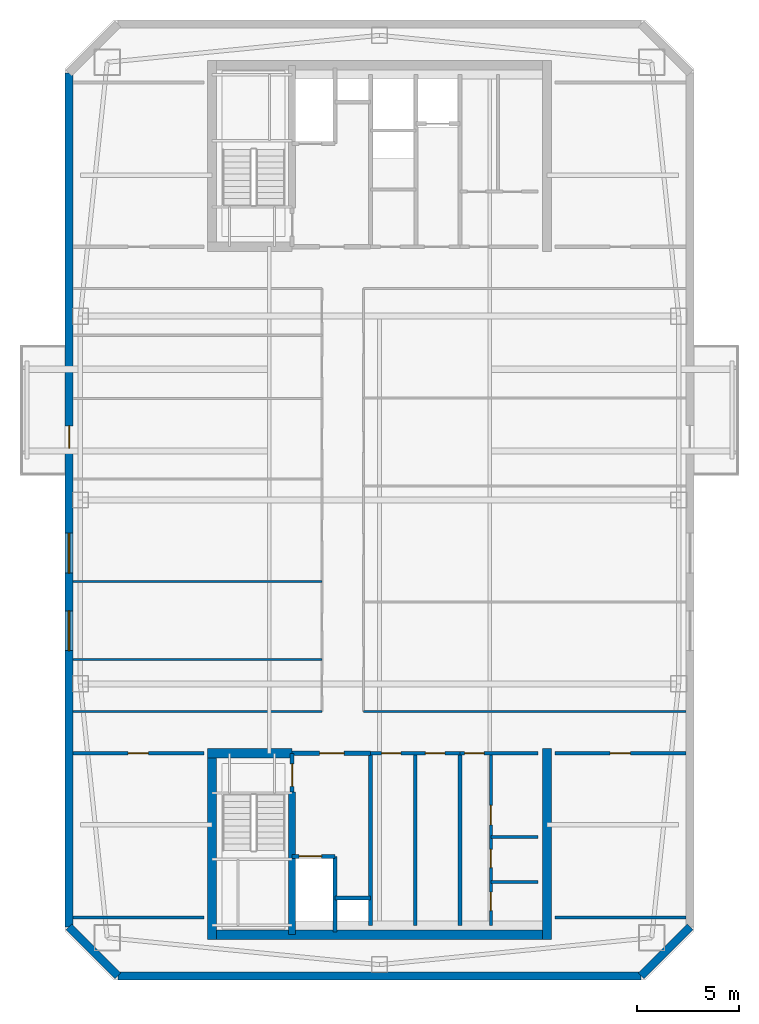
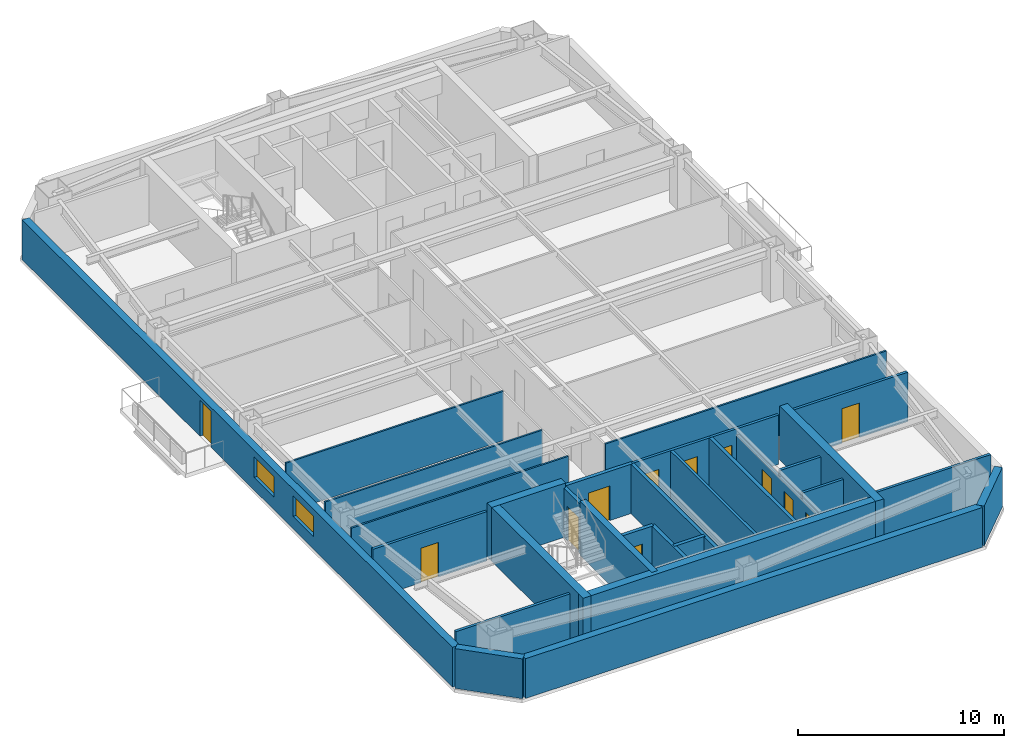
# One storey, part 2 of 6: 30 walls, 12 doors, 2 windows, 14 openings.
"""IFC4 building model written with IfcOpenShell, lengths in metres."""

from ifc_helpers import new_model, si_unit, direction, frame, frame_2d, origin, place, context, subcontext, project, spatial, rectangle, extrude, material, layer, layer_set, type_object, element, fill, save


model = new_model("IFC4")

# Units and contexts
model_context = context("Model", 3, precision=1e-05, world=origin(), true_north=direction((0.0, 1.0)))
body_context = subcontext(model_context, "Body", "Model", "MODEL_VIEW")
ifc_project = project(units=[si_unit("LENGTHUNIT", "METRE"), si_unit("AREAUNIT", "SQUARE_METRE"), si_unit("VOLUMEUNIT", "CUBIC_METRE"), si_unit("PLANEANGLEUNIT", "RADIAN"), si_unit("MASSUNIT", "GRAM", prefix="KILO")], contexts=[model_context])

# Site, building, storey
site_placement = place(None, origin())
site = spatial("IfcSite", under=ifc_project, at=site_placement, CompositionType="ELEMENT")
building_placement = place(site_placement, origin())
building = spatial("IfcBuilding", under=site, at=building_placement, Name="Qiaolan Cultural Towers", CompositionType="ELEMENT")
storey_placement = place(building_placement, frame((0.0, 0.0, 260.0)))
storey = spatial("IfcBuildingStorey", under=building, at=storey_placement, Name="L71", CompositionType="ELEMENT", Elevation=260.0)

# Walls
ifc_material_1 = material(Name="Concrete C50", Category="concrete")
ifc_layer_1 = layer(ifc_material_1, 0.35009765625)
ifc_layer_set_1 = layer_set([ifc_layer_1], Name="Concrete C50")
wall_type_1 = type_object("IfcWallType", Name="WL-CORE-350", PredefinedType="SHEAR", material=ifc_layer_set_1)
wall_1_placement = place(storey_placement, frame((25.719970703125, 19.699951171875, 0.0), z_axis=(0.0, 0.0, 1.0), x_axis=(0.0, -1.0, 0.0)))
element("IfcWall", 1, at=wall_1_placement, inside=storey, type_object=wall_type_1, Name="L71 T1-CS Stair Core Dividing Web", PredefinedType="SHEAR", context=body_context, shape_type="SweptSolid", body=[
    extrude(rectangle(XDim=6.97998046875, YDim=0.35009765625, at=frame_2d((3.489990234375, 0.0))), origin(), (0.0, 0.0, 1.0), 3.199951171875),
])
ifc_material_2 = material(Name="Concrete C50", Category="concrete")
ifc_layer_2 = layer(ifc_material_2, 0.449951171875)
ifc_layer_set_2 = layer_set([ifc_layer_2], Name="Concrete C50")
wall_type_2 = type_object("IfcWallType", Name="WL-CORE-450", PredefinedType="SHEAR", material=ifc_layer_set_2)
wall_2_placement = place(storey_placement, frame((21.574951171875, 12.719970703125, 0.0), z_axis=(0.0, 0.0, 1.0), x_axis=(1.0, 0.0, 0.0)))
element("IfcWall", 2, at=wall_2_placement, inside=storey, type_object=wall_type_2, Name="L71 T1-CS Outer Core Shear Wall", PredefinedType="SHEAR", context=body_context, shape_type="SweptSolid", body=[
    extrude(rectangle(XDim=16.85009765625, YDim=0.449951171875, at=frame_2d((8.425048828125, 0.0))), origin(), (0.0, 0.0, 1.0), 3.199951171875),
])
for number, where, z_axis, x_axis, name in (
    (3, (21.800048828125, 21.824951171875, 0.0), (0.0, 0.0, 1.0), (0.0, -1.0, 0.0), "L71 T1-CS West Core Shear Wall"),
    (4, (38.199951171875, 21.824951171875, 0.0), (0.0, 0.0, 1.0), (0.0, -1.0, 0.0), "L71 T1-CS East Core Shear Wall"),
):
    element("IfcWall", number, at=place(storey_placement, frame(where, z_axis=z_axis, x_axis=x_axis)), inside=storey, type_object=wall_type_2, Name=name, PredefinedType="SHEAR", context=body_context, shape_type="SweptSolid", body=[
        extrude(rectangle(XDim=9.329833984375, YDim=0.449951171875, at=frame_2d((4.6650390625, 0.0))), origin(), (0.0, 0.0, 1.0), 3.199951171875),
    ])
wall_3_placement = place(storey_placement, frame((21.574951171875, 21.60009765625, 0.0), z_axis=(0.0, 0.0, 1.0), x_axis=(1.0, 0.0, 0.0)))
element("IfcWall", 5, at=wall_3_placement, inside=storey, type_object=wall_type_2, Name="L71 T1-CS Stair Front Shear Wall", PredefinedType="SHEAR", context=body_context, shape_type="SweptSolid", body=[
    extrude(rectangle(XDim=4.14501953125, YDim=0.449951171875, at=frame_2d((2.072509765625, 0.0))), origin(), (0.0, 0.0, 1.0), 3.199951171875),
])

# Wall, openings, door, windows
ifc_material_3 = material(Name="Precast Concrete C50 Honed Stone Pier", Category="masonry")
ifc_layer_3 = layer(ifc_material_3, 0.39990234375)
ifc_layer_set_3 = layer_set([ifc_layer_3], Name="Precast Concrete C50 Honed Stone Pier")
wall_type_3 = type_object("IfcWallType", Name="WL-EXT-PIER-400", PredefinedType="SOLIDWALL", material=ifc_layer_set_3)
wall_4_placement = place(storey_placement, frame((14.800048828125, 13.10009765625, 0.0), z_axis=(0.0, 0.0, 1.0), x_axis=(0.0, 1.0, 0.0)))
wall_4 = element("IfcWall", 6, at=wall_4_placement, inside=storey, type_object=wall_type_3, Name="L71 West Tower Precast Pier Facade Wall F1", PredefinedType="SOLIDWALL", context=body_context, shape_type="SweptSolid", body=[
    extrude(rectangle(XDim=41.7998046875, YDim=0.39990234375, at=frame_2d((20.89990234375, 0.0))), origin(), (0.0, 0.0, 1.0), 2.360107421875),
])
opening_1_placement = place(wall_4_placement, frame((13.52490234375, 0.0, 0.75)))
opening_1 = element("IfcOpeningElement", 7, at=opening_1_placement, cuts=wall_4, Name="Opening W-06", PredefinedType="OPENING", context=body_context, shape_type="SweptSolid", body=[
    extrude(rectangle(XDim=1.949951171875, YDim=1.2099609375, at=frame_2d((0.97509765625, 0.60498046875))), frame((0.0, 0.2099609375, 0.0), z_axis=(0.0, -1.0, 0.0), x_axis=(1.0, 0.0, 0.0)), (0.0, 0.0, 1.0), 0.419921875),
])
opening_2_placement = place(wall_4_placement, frame((17.324951171875, 0.0, 0.75)))
opening_2 = element("IfcOpeningElement", 8, at=opening_2_placement, cuts=wall_4, Name="Opening W-06", PredefinedType="OPENING", context=body_context, shape_type="SweptSolid", body=[
    extrude(rectangle(XDim=1.949951171875, YDim=1.2099609375, at=frame_2d((0.97509765625, 0.60498046875))), frame((0.0, 0.2099609375, 0.0), z_axis=(0.0, -1.0, 0.0), x_axis=(1.0, 0.0, 0.0)), (0.0, 0.0, 1.0), 0.419921875),
])
opening_3_placement = place(wall_4_placement, frame((23.430419921875, 0.0, 0.0)))
opening_3 = element("IfcOpeningElement", 9, at=opening_3_placement, cuts=wall_4, Name="Opening BD-01", PredefinedType="OPENING", context=body_context, shape_type="SweptSolid", body=[
    extrude(rectangle(XDim=1.10009765625, YDim=2.14990234375, at=frame_2d((0.550048828125, 1.074951171875))), frame((0.0, 0.2099609375, 0.0), z_axis=(0.0, -1.0, 0.0), x_axis=(1.0, 0.0, 0.0)), (0.0, 0.0, 1.0), 0.419921875),
])
ifc_material_4 = material(Name="Thermally Broken Aluminium Glazed Terrace Door", Category="aluminium")
door_type_1 = type_object("IfcDoorType", Name="DR-BAL-1100", OperationType="NOTDEFINED", PredefinedType="DOOR", material=ifc_material_4)
door_1_placement = place(opening_3_placement, origin())
door_1 = element("IfcDoor", 10, at=door_1_placement, inside=storey, type_object=door_type_1, Name="L71 T1 West Tree Balcony Door", OperationType="SINGLE_SWING_LEFT", OverallHeight=2.14990234375, OverallWidth=1.10009765625, PredefinedType="DOOR", context=body_context, shape_type="SweptSolid", body=[
    extrude(rectangle(XDim=1.10009765625, YDim=2.14990234375, at=frame_2d((0.550048828125, 1.074951171875))), frame((0.0, 0.02490234375, 0.0), z_axis=(0.0, -1.0, 0.0), x_axis=(1.0, 0.0, 0.0)), (0.0, 0.0, 1.0), 0.050048828125),
])
fill(opening_3, door_1)
ifc_material_5 = material(Name="Thermally Broken Aluminium Triple Low-E Glazing", Category="aluminium")
window_type = type_object("IfcWindowType", Name="WN-CHIC-1950", PartitioningType="SINGLE_PANEL", PredefinedType="WINDOW", material=ifc_material_5)
window_1_placement = place(opening_1_placement, origin())
window_1 = element("IfcWindow", 11, at=window_1_placement, inside=storey, type_object=window_type, Name="L71 T1 W Chicago Bay Window 1", OverallHeight=1.2099609375, OverallWidth=1.949951171875, PartitioningType="TRIPLE_PANEL_VERTICAL", PredefinedType="WINDOW", context=body_context, shape_type="SweptSolid", body=[
    extrude(rectangle(XDim=1.949951171875, YDim=1.2099609375, at=frame_2d((0.97509765625, 0.60498046875))), frame((0.0, 0.030029296875, 0.0), z_axis=(0.0, -1.0, 0.0), x_axis=(1.0, 0.0, 0.0)), (0.0, 0.0, 1.0), 0.06005859375),
])
fill(opening_1, window_1)
window_2_placement = place(opening_2_placement, origin())
window_2 = element("IfcWindow", 12, at=window_2_placement, inside=storey, type_object=window_type, Name="L71 T1 W Chicago Bay Window 2", OverallHeight=1.2099609375, OverallWidth=1.949951171875, PartitioningType="TRIPLE_PANEL_VERTICAL", PredefinedType="WINDOW", context=body_context, shape_type="SweptSolid", body=[
    extrude(rectangle(XDim=1.949951171875, YDim=1.2099609375, at=frame_2d((0.97509765625, 0.60498046875))), frame((0.0, 0.030029296875, 0.0), z_axis=(0.0, -1.0, 0.0), x_axis=(1.0, 0.0, 0.0)), (0.0, 0.0, 1.0), 0.06005859375),
])
fill(opening_2, window_2)

# Walls
wall_5_placement = place(storey_placement, frame((45.199951171875, 13.10009765625, 0.0), z_axis=(0.0, 0.0, 1.0), x_axis=(-0.707070815327, -0.707142745217, 0.0)))
element("IfcWall", 13, at=wall_5_placement, inside=storey, type_object=wall_type_3, Name="L71 West Tower Precast Pier Facade Wall F6", PredefinedType="SOLIDWALL", context=body_context, shape_type="SweptSolid", body=[
    extrude(rectangle(XDim=3.39404296875, YDim=0.39990234375, at=frame_2d((1.697021484375, 0.0))), origin(), (0.0, 0.0, 1.0), 2.360107421875),
])
wall_6_placement = place(storey_placement, frame((42.800048828125, 10.699951171875, 0.0), z_axis=(0.0, 0.0, 1.0), x_axis=(-1.0, 0.0, 0.0)))
element("IfcWall", 14, at=wall_6_placement, inside=storey, type_object=wall_type_3, Name="L71 West Tower Precast Pier Facade Wall F7", PredefinedType="SOLIDWALL", context=body_context, shape_type="SweptSolid", body=[
    extrude(rectangle(XDim=25.60009765625, YDim=0.39990234375, at=frame_2d((12.800048828125, 0.0))), origin(), (0.0, 0.0, 1.0), 2.360107421875),
])
wall_7_placement = place(storey_placement, frame((17.199951171875, 10.699951171875, 0.0), z_axis=(0.0, 0.0, 1.0), x_axis=(-0.707070815327, 0.707142745217, 0.0)))
element("IfcWall", 15, at=wall_7_placement, inside=storey, type_object=wall_type_3, Name="L71 West Tower Precast Pier Facade Wall F8", PredefinedType="SOLIDWALL", context=body_context, shape_type="SweptSolid", body=[
    extrude(rectangle(XDim=3.39404296875, YDim=0.39990234375, at=frame_2d((1.697021484375, 0.0))), origin(), (0.0, 0.0, 1.0), 2.360107421875),
])

# Wall, opening, door
ifc_material_6 = material(Name="Concrete C35 Fire Wall", Category="concrete")
ifc_layer_4 = layer(ifc_material_6, 0.199951171875)
ifc_layer_set_4 = layer_set([ifc_layer_4], Name="Concrete C35 Fire Wall")
wall_type_4 = type_object("IfcWallType", Name="WL-FIRE-200", PredefinedType="PARTITIONING", material=ifc_layer_set_4)
wall_8_placement = place(storey_placement, frame((25.719970703125, 21.60009765625, 0.0), z_axis=(0.0, 0.0, 1.0), x_axis=(0.0, -1.0, 0.0)))
wall_8 = element("IfcWall", 16, at=wall_8_placement, inside=storey, type_object=wall_type_4, Name="L71 T1-CS Smokeproof Stair Entry Wall", PredefinedType="PARTITIONING", context=body_context, shape_type="SweptSolid", body=[
    extrude(rectangle(XDim=1.900146484375, YDim=0.199951171875, at=frame_2d((0.9501953125, 0.0))), origin(), (0.0, 0.0, 1.0), 2.925048828125),
])
opening_4_placement = place(wall_8_placement, frame((0.52001953125, 0.0, 0.0)))
opening_4 = element("IfcOpeningElement", 17, at=opening_4_placement, cuts=wall_8, Name="Opening FD-04", PredefinedType="OPENING", context=body_context, shape_type="SweptSolid", body=[
    extrude(rectangle(XDim=1.10009765625, YDim=2.050048828125, at=frame_2d((0.550048828125, 1.02490234375))), frame((0.0, 0.10986328125, 0.0), z_axis=(0.0, -1.0, 0.0), x_axis=(1.0, 0.0, 0.0)), (0.0, 0.0, 1.0), 0.219970703125),
])
ifc_material_7 = material(Name="Galvanized Steel Command Fire Door", Category="steel")
door_type_2 = type_object("IfcDoorType", Name="DR-FD90-1100", OperationType="NOTDEFINED", PredefinedType="DOOR", material=ifc_material_7)
door_2_placement = place(opening_4_placement, origin())
door_2 = element("IfcDoor", 18, at=door_2_placement, inside=storey, type_object=door_type_2, Name="L71 ST-W1 Smokeproof Stair Fire Door", OperationType="SINGLE_SWING_LEFT", OverallHeight=2.050048828125, OverallWidth=1.10009765625, PredefinedType="DOOR", context=body_context, shape_type="SweptSolid", body=[
    extrude(rectangle(XDim=1.10009765625, YDim=2.050048828125, at=frame_2d((0.550048828125, 1.02490234375))), frame((0.0, 0.02490234375, 0.0), z_axis=(0.0, -1.0, 0.0), x_axis=(1.0, 0.0, 0.0)), (0.0, 0.0, 1.0), 0.050048828125),
])
fill(opening_4, door_2)

# Wall
wall_9_placement = place(storey_placement, frame((29.550048828125, 21.60009765625, 0.0), z_axis=(0.0, 0.0, 1.0), x_axis=(0.0, -1.0, 0.0)))
element("IfcWall", 19, at=wall_9_placement, inside=storey, type_object=wall_type_4, Name="L71 T1-CS Firefighting Zone Wall", PredefinedType="PARTITIONING", context=body_context, shape_type="SweptSolid", body=[
    extrude(rectangle(XDim=8.43017578125, YDim=0.199951171875, at=frame_2d((4.215087890625, 0.0))), origin(), (0.0, 0.0, 1.0), 2.925048828125),
])

# Wall, opening, door
wall_10_placement = place(storey_placement, frame((25.719970703125, 21.60009765625, 0.0), z_axis=(0.0, 0.0, 1.0), x_axis=(1.0, 0.0, 0.0)))
wall_10 = element("IfcWall", 20, at=wall_10_placement, inside=storey, type_object=wall_type_4, Name="L71 T1-CS Firefighting Lobby Front Wall", PredefinedType="PARTITIONING", context=body_context, shape_type="SweptSolid", body=[
    extrude(rectangle(XDim=3.830078125, YDim=0.199951171875, at=frame_2d((1.9150390625, 0.0))), origin(), (0.0, 0.0, 1.0), 2.925048828125),
])
opening_5_placement = place(wall_10_placement, frame((1.35009765625, 0.0, 0.0)))
opening_5 = element("IfcOpeningElement", 21, at=opening_5_placement, cuts=wall_10, Name="Opening FD-03", PredefinedType="OPENING", context=body_context, shape_type="SweptSolid", body=[
    extrude(rectangle(XDim=1.199951171875, YDim=2.050048828125, at=frame_2d((0.60009765625, 1.02490234375))), frame((0.0, 0.10986328125, 0.0), z_axis=(0.0, -1.0, 0.0), x_axis=(1.0, 0.0, 0.0)), (0.0, 0.0, 1.0), 0.219970703125),
])
ifc_material_8 = material(Name="Galvanized Steel Smokeproof Lobby Fire Door", Category="steel")
door_type_3 = type_object("IfcDoorType", Name="DR-FD90-1200", OperationType="NOTDEFINED", PredefinedType="DOOR", material=ifc_material_8)
door_3_placement = place(opening_5_placement, origin())
door_3 = element("IfcDoor", 22, at=door_3_placement, inside=storey, type_object=door_type_3, Name="L71 FFL-W1 Firefighting Lobby Fire Door", OperationType="SINGLE_SWING_LEFT", OverallHeight=2.050048828125, OverallWidth=1.199951171875, PredefinedType="DOOR", context=body_context, shape_type="SweptSolid", body=[
    extrude(rectangle(XDim=1.199951171875, YDim=2.050048828125, at=frame_2d((0.60009765625, 1.02490234375))), frame((0.0, 0.02490234375, 0.0), z_axis=(0.0, -1.0, 0.0), x_axis=(1.0, 0.0, 0.0)), (0.0, 0.0, 1.0), 0.050048828125),
])
fill(opening_5, door_3)

wall_11_placement = place(storey_placement, frame((25.719970703125, 16.550048828125, 0.0), z_axis=(0.0, 0.0, 1.0), x_axis=(1.0, 0.0, 0.0)))
wall_11 = element("IfcWall", 23, at=wall_11_placement, inside=storey, type_object=wall_type_4, Name="L71 T1-CS Firefighting Shaft Front Wall", PredefinedType="PARTITIONING", context=body_context, shape_type="SweptSolid", body=[
    extrude(rectangle(XDim=2.10009765625, YDim=0.199951171875, at=frame_2d((1.050048828125, 0.0))), origin(), (0.0, 0.0, 1.0), 2.925048828125),
])
opening_6_placement = place(wall_11_placement, frame((0.35009765625, 0.0, 0.0)))
opening_6 = element("IfcOpeningElement", 24, at=opening_6_placement, cuts=wall_11, Name="Opening LD-01", PredefinedType="OPENING", context=body_context, shape_type="SweptSolid", body=[
    extrude(rectangle(XDim=1.10009765625, YDim=2.050048828125, at=frame_2d((0.550048828125, 1.02490234375))), frame((0.0, 0.10986328125, 0.0), z_axis=(0.0, -1.0, 0.0), x_axis=(1.0, 0.0, 0.0)), (0.0, 0.0, 1.0), 0.219970703125),
])
ifc_material_9 = material(Name="Brushed Stainless Steel S30408 Centre-Parting Lift Landing Door", Category="steel")
door_type_4 = type_object("IfcDoorType", Name="DR-LIFT-1100", OperationType="NOTDEFINED", PredefinedType="DOOR", material=ifc_material_9)
door_4_placement = place(opening_6_placement, origin())
door_4 = element("IfcDoor", 25, at=door_4_placement, inside=storey, type_object=door_type_4, Name="L71 FFL-W1 Firefighting Lift Landing Door", OperationType="DOUBLE_DOOR_SLIDING", OverallHeight=2.050048828125, OverallWidth=1.10009765625, PredefinedType="DOOR", context=body_context, shape_type="SweptSolid", body=[
    extrude(rectangle(XDim=1.10009765625, YDim=2.050048828125, at=frame_2d((0.550048828125, 1.02490234375))), frame((0.0, 0.02490234375, 0.0), z_axis=(0.0, -1.0, 0.0), x_axis=(1.0, 0.0, 0.0)), (0.0, 0.0, 1.0), 0.050048828125),
])
fill(opening_6, door_4)

# Walls
wall_12_placement = place(storey_placement, frame((27.820068359375, 16.550048828125, 0.0), z_axis=(0.0, 0.0, 1.0), x_axis=(0.0, -1.0, 0.0)))
element("IfcWall", 26, at=wall_12_placement, inside=storey, type_object=wall_type_4, Name="L71 T1-CS Firefighting Hoistway East Wall", PredefinedType="PARTITIONING", context=body_context, shape_type="SweptSolid", body=[
    extrude(rectangle(XDim=3.699951171875, YDim=0.199951171875, at=frame_2d((1.85009765625, 0.0))), origin(), (0.0, 0.0, 1.0), 2.925048828125),
])
wall_13_placement = place(storey_placement, frame((27.820068359375, 14.52001953125, 0.0), z_axis=(0.0, 0.0, 1.0), x_axis=(1.0, 0.0, 0.0)))
element("IfcWall", 27, at=wall_13_placement, inside=storey, type_object=wall_type_4, Name="L71 T1-CS Pressurization Shaft Front Wall", PredefinedType="PARTITIONING", context=body_context, shape_type="SweptSolid", body=[
    extrude(rectangle(XDim=1.72998046875, YDim=0.199951171875, at=frame_2d((0.864990234375, 0.0))), origin(), (0.0, 0.0, 1.0), 2.925048828125),
])
wall_14_placement = place(storey_placement, frame((33.949951171875, 21.60009765625, 0.0), z_axis=(0.0, 0.0, 1.0), x_axis=(0.0, -1.0, 0.0)))
element("IfcWall", 28, at=wall_14_placement, inside=storey, type_object=wall_type_4, Name="L71 T1-CS Lift Core East Wall", PredefinedType="PARTITIONING", context=body_context, shape_type="SweptSolid", body=[
    extrude(rectangle(XDim=8.43017578125, YDim=0.199951171875, at=frame_2d((4.215087890625, 0.0))), origin(), (0.0, 0.0, 1.0), 2.925048828125),
])
ifc_material_10 = material(Name="Acoustic Double-Glazed Partition Frame", Category="glass")
ifc_layer_5 = layer(ifc_material_10, 0.10009765625)
ifc_layer_set_5 = layer_set([ifc_layer_5], Name="Acoustic Double-Glazed Partition Frame")
wall_type_5 = type_object("IfcWallType", Name="WL-GLAZED-100", PredefinedType="MOVABLE", material=ifc_layer_set_5)
wall_15_placement = place(storey_placement, frame((15.0, 23.64990234375, 0.0), z_axis=(0.0, 0.0, 1.0), x_axis=(1.0, 0.0, 0.0)))
element("IfcWall", 29, at=wall_15_placement, inside=storey, type_object=wall_type_5, Name="L71 T1 South Corridor Left Wall", PredefinedType="MOVABLE", context=body_context, shape_type="SweptSolid", body=[
    extrude(rectangle(XDim=12.175048828125, YDim=0.10009765625, at=frame_2d((6.08740234375, 0.0))), origin(), (0.0, 0.0, 1.0), 2.925048828125),
])
wall_16_placement = place(storey_placement, frame((29.22509765625, 23.64990234375, 0.0), z_axis=(0.0, 0.0, 1.0), x_axis=(1.0, 0.0, 0.0)))
element("IfcWall", 30, at=wall_16_placement, inside=storey, type_object=wall_type_5, Name="L71 T1 South Corridor Right Wall", PredefinedType="MOVABLE", context=body_context, shape_type="SweptSolid", body=[
    extrude(rectangle(XDim=15.77490234375, YDim=0.10009765625, at=frame_2d((7.887451171875, 0.0))), origin(), (0.0, 0.0, 1.0), 2.925048828125),
])
for number, where, z_axis, x_axis, name in (
    (31, (15.0, 26.199951171875, 0.0), (0.0, 0.0, 1.0), (1.0, 0.0, 0.0), "L71 T1 West Partition 1"),
    (32, (15.0, 30.0, 0.0), (0.0, 0.0, 1.0), (1.0, 0.0, 0.0), "L71 T1 West Partition 2"),
):
    element("IfcWall", number, at=place(storey_placement, frame(where, z_axis=z_axis, x_axis=x_axis)), inside=storey, type_object=wall_type_5, Name=name, PredefinedType="MOVABLE", context=body_context, shape_type="SweptSolid", body=[
        extrude(rectangle(XDim=12.175048828125, YDim=0.10009765625, at=frame_2d((6.08740234375, 0.0))), origin(), (0.0, 0.0, 1.0), 2.925048828125),
    ])

# Wall, openings, doors
ifc_material_11 = material(Name="Autoclaved Aerated Concrete Block B06", Category="concrete")
ifc_layer_6 = layer(ifc_material_11, 0.14990234375)
ifc_layer_set_6 = layer_set([ifc_layer_6], Name="Autoclaved Aerated Concrete Block B06")
wall_type_6 = type_object("IfcWallType", Name="WL-PART-150", PredefinedType="PARTITIONING", material=ifc_layer_set_6)
wall_17_placement = place(storey_placement, frame((29.550048828125, 21.60009765625, 0.0), z_axis=(0.0, 0.0, 1.0), x_axis=(1.0, 0.0, 0.0)))
wall_17 = element("IfcWall", 33, at=wall_17_placement, inside=storey, type_object=wall_type_6, Name="L71 T1-CS Reclaimed Core Room Front Wall", PredefinedType="PARTITIONING", context=body_context, shape_type="SweptSolid", body=[
    extrude(rectangle(XDim=4.39990234375, YDim=0.14990234375, at=frame_2d((2.199951171875, 0.0))), origin(), (0.0, 0.0, 1.0), 2.925048828125),
])
opening_7_placement = place(wall_17_placement, frame((0.550048828125, 0.0, 0.0)))
opening_7 = element("IfcOpeningElement", 34, at=opening_7_placement, cuts=wall_17, Name="Opening ID-05", PredefinedType="OPENING", context=body_context, shape_type="SweptSolid", body=[
    extrude(rectangle(XDim=0.949951171875, YDim=2.050048828125, at=frame_2d((0.47509765625, 1.02490234375))), frame((0.0, 0.0849609375, 0.0), z_axis=(0.0, -1.0, 0.0), x_axis=(1.0, 0.0, 0.0)), (0.0, 0.0, 1.0), 0.169921875),
])
opening_8_placement = place(wall_17_placement, frame((2.699951171875, 0.0, 0.0)))
opening_8 = element("IfcOpeningElement", 35, at=opening_8_placement, cuts=wall_17, Name="Opening ID-05", PredefinedType="OPENING", context=body_context, shape_type="SweptSolid", body=[
    extrude(rectangle(XDim=0.949951171875, YDim=2.050048828125, at=frame_2d((0.47509765625, 1.02490234375))), frame((0.0, 0.0849609375, 0.0), z_axis=(0.0, -1.0, 0.0), x_axis=(1.0, 0.0, 0.0)), (0.0, 0.0, 1.0), 0.169921875),
])
ifc_material_12 = material(Name="Fire-Rated Laminate Accessible Core Door", Category="timber")
door_type_5 = type_object("IfcDoorType", Name="DR-INT-950", OperationType="NOTDEFINED", PredefinedType="DOOR", material=ifc_material_12)
door_5_placement = place(opening_7_placement, origin())
door_5 = element("IfcDoor", 36, at=door_5_placement, inside=storey, type_object=door_type_5, Name="L71 Copy Print Room Door", OperationType="SINGLE_SWING_LEFT", OverallHeight=2.050048828125, OverallWidth=0.949951171875, PredefinedType="DOOR", context=body_context, shape_type="SweptSolid", body=[
    extrude(rectangle(XDim=0.949951171875, YDim=2.050048828125, at=frame_2d((0.47509765625, 1.02490234375))), frame((0.0, 0.02490234375, 0.0), z_axis=(0.0, -1.0, 0.0), x_axis=(1.0, 0.0, 0.0)), (0.0, 0.0, 1.0), 0.050048828125),
])
fill(opening_7, door_5)
door_6_placement = place(opening_8_placement, origin())
door_6 = element("IfcDoor", 37, at=door_6_placement, inside=storey, type_object=door_type_5, Name="L71 Tea Pantry Room Door", OperationType="SINGLE_SWING_RIGHT", OverallHeight=2.050048828125, OverallWidth=0.949951171875, PredefinedType="DOOR", context=body_context, shape_type="SweptSolid", body=[
    extrude(rectangle(XDim=0.949951171875, YDim=2.050048828125, at=frame_2d((0.47509765625, 1.02490234375))), frame((0.0, 0.02490234375, 0.0), z_axis=(0.0, -1.0, 0.0), x_axis=(1.0, 0.0, 0.0)), (0.0, 0.0, 1.0), 0.050048828125),
])
fill(opening_8, door_6)

# Wall
wall_18_placement = place(storey_placement, frame((31.75, 21.60009765625, 0.0), z_axis=(0.0, 0.0, 1.0), x_axis=(0.0, -1.0, 0.0)))
element("IfcWall", 38, at=wall_18_placement, inside=storey, type_object=wall_type_6, Name="L71 T1-CS Reclaimed Twin Room Wall", PredefinedType="PARTITIONING", context=body_context, shape_type="SweptSolid", body=[
    extrude(rectangle(XDim=8.43017578125, YDim=0.14990234375, at=frame_2d((4.215087890625, 0.0))), origin(), (0.0, 0.0, 1.0), 2.925048828125),
])

# Wall, opening, door
wall_19_placement = place(storey_placement, frame((33.949951171875, 21.60009765625, 0.0), z_axis=(0.0, 0.0, 1.0), x_axis=(1.0, 0.0, 0.0)))
wall_19 = element("IfcWall", 39, at=wall_19_placement, inside=storey, type_object=wall_type_6, Name="L71 T1-CS Sanitary Core Front Wall", PredefinedType="PARTITIONING", context=body_context, shape_type="SweptSolid", body=[
    extrude(rectangle(XDim=3.800048828125, YDim=0.14990234375, at=frame_2d((1.89990234375, 0.0))), origin(), (0.0, 0.0, 1.0), 2.925048828125),
])
opening_9_placement = place(wall_19_placement, frame((0.219970703125, 0.0, 0.0)))
opening_9 = element("IfcOpeningElement", 40, at=opening_9_placement, cuts=wall_19, Name="Opening ID-05", PredefinedType="OPENING", context=body_context, shape_type="SweptSolid", body=[
    extrude(rectangle(XDim=0.949951171875, YDim=2.050048828125, at=frame_2d((0.47509765625, 1.02490234375))), frame((0.0, 0.0849609375, 0.0), z_axis=(0.0, -1.0, 0.0), x_axis=(1.0, 0.0, 0.0)), (0.0, 0.0, 1.0), 0.169921875),
])
door_7_placement = place(opening_9_placement, origin())
door_7 = element("IfcDoor", 41, at=door_7_placement, inside=storey, type_object=door_type_5, Name="L71 Sanitary Vestibule Door", OperationType="SINGLE_SWING_LEFT", OverallHeight=2.050048828125, OverallWidth=0.949951171875, PredefinedType="DOOR", context=body_context, shape_type="SweptSolid", body=[
    extrude(rectangle(XDim=0.949951171875, YDim=2.050048828125, at=frame_2d((0.47509765625, 1.02490234375))), frame((0.0, 0.02490234375, 0.0), z_axis=(0.0, -1.0, 0.0), x_axis=(1.0, 0.0, 0.0)), (0.0, 0.0, 1.0), 0.050048828125),
])
fill(opening_9, door_7)

# Wall, openings, doors
wall_20_placement = place(storey_placement, frame((35.449951171875, 21.60009765625, 0.0), z_axis=(0.0, 0.0, 1.0), x_axis=(0.0, -1.0, 0.0)))
wall_20 = element("IfcWall", 42, at=wall_20_placement, inside=storey, type_object=wall_type_6, Name="L71 T1-CS Sanitary Vestibule Wall", PredefinedType="PARTITIONING", context=body_context, shape_type="SweptSolid", body=[
    extrude(rectangle(XDim=8.43017578125, YDim=0.14990234375, at=frame_2d((4.215087890625, 0.0))), origin(), (0.0, 0.0, 1.0), 2.56494140625),
])
opening_10_placement = place(wall_20_placement, frame((2.550048828125, 0.0, 0.0)))
opening_10 = element("IfcOpeningElement", 43, at=opening_10_placement, cuts=wall_20, Name="Opening ID-05", PredefinedType="OPENING", context=body_context, shape_type="SweptSolid", body=[
    extrude(rectangle(XDim=0.949951171875, YDim=2.050048828125, at=frame_2d((0.47509765625, 1.02490234375))), frame((0.0, 0.0849609375, 0.0), z_axis=(0.0, -1.0, 0.0), x_axis=(1.0, 0.0, 0.0)), (0.0, 0.0, 1.0), 0.169921875),
])
opening_11_placement = place(wall_20_placement, frame((4.699951171875, 0.0, 0.0)))
opening_11 = element("IfcOpeningElement", 44, at=opening_11_placement, cuts=wall_20, Name="Opening ID-06", PredefinedType="OPENING", context=body_context, shape_type="SweptSolid", body=[
    extrude(rectangle(XDim=0.89990234375, YDim=2.050048828125, at=frame_2d((0.449951171875, 1.02490234375))), frame((0.0, 0.0849609375, 0.0), z_axis=(0.0, -1.0, 0.0), x_axis=(1.0, 0.0, 0.0)), (0.0, 0.0, 1.0), 0.169921875),
])
opening_12_placement = place(wall_20_placement, frame((6.800048828125, 0.0, 0.0)))
opening_12 = element("IfcOpeningElement", 45, at=opening_12_placement, cuts=wall_20, Name="Opening ID-06", PredefinedType="OPENING", context=body_context, shape_type="SweptSolid", body=[
    extrude(rectangle(XDim=0.89990234375, YDim=2.050048828125, at=frame_2d((0.449951171875, 1.02490234375))), frame((0.0, 0.0849609375, 0.0), z_axis=(0.0, -1.0, 0.0), x_axis=(1.0, 0.0, 0.0)), (0.0, 0.0, 1.0), 0.169921875),
])
ifc_material_13 = material(Name="Fire-Rated Laminate Core Service Door", Category="timber")
door_type_6 = type_object("IfcDoorType", Name="DR-INT-900", OperationType="NOTDEFINED", PredefinedType="DOOR", material=ifc_material_13)
door_8_placement = place(opening_11_placement, origin())
door_8 = element("IfcDoor", 46, at=door_8_placement, inside=storey, type_object=door_type_6, Name="L71 Men Washroom Door", OperationType="SINGLE_SWING_LEFT", OverallHeight=2.050048828125, OverallWidth=0.89990234375, PredefinedType="DOOR", context=body_context, shape_type="SweptSolid", body=[
    extrude(rectangle(XDim=0.89990234375, YDim=2.050048828125, at=frame_2d((0.449951171875, 1.02490234375))), frame((0.0, 0.02490234375, 0.0), z_axis=(0.0, -1.0, 0.0), x_axis=(1.0, 0.0, 0.0)), (0.0, 0.0, 1.0), 0.050048828125),
])
fill(opening_11, door_8)
door_9_placement = place(opening_12_placement, origin())
door_9 = element("IfcDoor", 47, at=door_9_placement, inside=storey, type_object=door_type_6, Name="L71 Women Washroom Door", OperationType="SINGLE_SWING_RIGHT", OverallHeight=2.050048828125, OverallWidth=0.89990234375, PredefinedType="DOOR", context=body_context, shape_type="SweptSolid", body=[
    extrude(rectangle(XDim=0.89990234375, YDim=2.050048828125, at=frame_2d((0.449951171875, 1.02490234375))), frame((0.0, 0.02490234375, 0.0), z_axis=(0.0, -1.0, 0.0), x_axis=(1.0, 0.0, 0.0)), (0.0, 0.0, 1.0), 0.050048828125),
])
fill(opening_12, door_9)
door_10_placement = place(opening_10_placement, origin())
door_10 = element("IfcDoor", 48, at=door_10_placement, inside=storey, type_object=door_type_5, Name="L71 Accessible Family Washroom Door", OperationType="SINGLE_SWING_LEFT", OverallHeight=2.050048828125, OverallWidth=0.949951171875, PredefinedType="DOOR", context=body_context, shape_type="SweptSolid", body=[
    extrude(rectangle(XDim=0.949951171875, YDim=2.050048828125, at=frame_2d((0.47509765625, 1.02490234375))), frame((0.0, 0.02490234375, 0.0), z_axis=(0.0, -1.0, 0.0), x_axis=(1.0, 0.0, 0.0)), (0.0, 0.0, 1.0), 0.050048828125),
])
fill(opening_10, door_10)

# Walls
for number, where, z_axis, x_axis, name in (
    (49, (35.449951171875, 17.5, 0.0), (0.0, 0.0, 1.0), (1.0, 0.0, 0.0), "L71 T1-CS Restroom Split Wall 1"),
    (50, (35.449951171875, 15.300048828125, 0.0), (0.0, 0.0, 1.0), (1.0, 0.0, 0.0), "L71 T1-CS Restroom Split Wall 2"),
):
    element("IfcWall", number, at=place(storey_placement, frame(where, z_axis=z_axis, x_axis=x_axis)), inside=storey, type_object=wall_type_6, Name=name, PredefinedType="PARTITIONING", context=body_context, shape_type="SweptSolid", body=[
        extrude(rectangle(XDim=2.300048828125, YDim=0.14990234375, at=frame_2d((1.14990234375, 0.0))), origin(), (0.0, 0.0, 1.0), 2.925048828125),
    ])
wall_21_placement = place(storey_placement, frame((15.0, 13.550048828125, 0.0), z_axis=(0.0, 0.0, 1.0), x_axis=(1.0, 0.0, 0.0)))
element("IfcWall", 51, at=wall_21_placement, inside=storey, type_object=wall_type_6, Name="L71 T1 Flank Wall FLK-SW", PredefinedType="PARTITIONING", context=body_context, shape_type="SweptSolid", body=[
    extrude(rectangle(XDim=6.39990234375, YDim=0.14990234375, at=frame_2d((3.199951171875, 0.0))), origin(), (0.0, 0.0, 1.0), 2.925048828125),
])

# Wall, opening, door
wall_22_placement = place(storey_placement, frame((15.0, 21.60009765625, 0.0), z_axis=(0.0, 0.0, 1.0), x_axis=(1.0, 0.0, 0.0)))
wall_22 = element("IfcWall", 52, at=wall_22_placement, inside=storey, type_object=wall_type_6, Name="L71 T1 Flank Front FLK-SW", PredefinedType="PARTITIONING", context=body_context, shape_type="SweptSolid", body=[
    extrude(rectangle(XDim=6.39990234375, YDim=0.14990234375, at=frame_2d((3.199951171875, 0.0))), origin(), (0.0, 0.0, 1.0), 2.925048828125),
])
opening_13_placement = place(wall_22_placement, frame((2.68798828125, 0.0, 0.0)))
opening_13 = element("IfcOpeningElement", 53, at=opening_13_placement, cuts=wall_22, Name="Opening ID-04", PredefinedType="OPENING", context=body_context, shape_type="SweptSolid", body=[
    extrude(rectangle(XDim=1.0, YDim=2.050048828125, at=frame_2d((0.5, 1.02490234375))), frame((0.0, 0.0849609375, 0.0), z_axis=(0.0, -1.0, 0.0), x_axis=(1.0, 0.0, 0.0)), (0.0, 0.0, 1.0), 0.169921875),
])
ifc_material_14 = material(Name="Oak Veneer Acoustic Office Door", Category="timber")
door_type_7 = type_object("IfcDoorType", Name="DR-INT-1000", OperationType="NOTDEFINED", PredefinedType="DOOR", material=ifc_material_14)
door_11_placement = place(opening_13_placement, origin())
door_11 = element("IfcDoor", 54, at=door_11_placement, inside=storey, type_object=door_type_7, Name="L71 T1 Corner Studio Door", OperationType="SINGLE_SWING_LEFT", OverallHeight=2.050048828125, OverallWidth=1.0, PredefinedType="DOOR", context=body_context, shape_type="SweptSolid", body=[
    extrude(rectangle(XDim=1.0, YDim=2.050048828125, at=frame_2d((0.5, 1.02490234375))), frame((0.0, 0.02490234375, 0.0), z_axis=(0.0, -1.0, 0.0), x_axis=(1.0, 0.0, 0.0)), (0.0, 0.0, 1.0), 0.050048828125),
])
fill(opening_13, door_11)

# Wall
wall_23_placement = place(storey_placement, frame((38.60009765625, 13.550048828125, 0.0), z_axis=(0.0, 0.0, 1.0), x_axis=(1.0, 0.0, 0.0)))
element("IfcWall", 55, at=wall_23_placement, inside=storey, type_object=wall_type_6, Name="L71 T1 Flank Wall FLK-SE", PredefinedType="PARTITIONING", context=body_context, shape_type="SweptSolid", body=[
    extrude(rectangle(XDim=6.39990234375, YDim=0.14990234375, at=frame_2d((3.199951171875, 0.0))), origin(), (0.0, 0.0, 1.0), 2.925048828125),
])

# Wall, opening, door
wall_24_placement = place(storey_placement, frame((38.60009765625, 21.60009765625, 0.0), z_axis=(0.0, 0.0, 1.0), x_axis=(1.0, 0.0, 0.0)))
wall_24 = element("IfcWall", 56, at=wall_24_placement, inside=storey, type_object=wall_type_6, Name="L71 T1 Flank Front FLK-SE", PredefinedType="PARTITIONING", context=body_context, shape_type="SweptSolid", body=[
    extrude(rectangle(XDim=6.39990234375, YDim=0.14990234375, at=frame_2d((3.199951171875, 0.0))), origin(), (0.0, 0.0, 1.0), 2.925048828125),
])
opening_14_placement = place(wall_24_placement, frame((2.68798828125, 0.0, 0.0)))
opening_14 = element("IfcOpeningElement", 57, at=opening_14_placement, cuts=wall_24, Name="Opening ID-04", PredefinedType="OPENING", context=body_context, shape_type="SweptSolid", body=[
    extrude(rectangle(XDim=1.0, YDim=2.050048828125, at=frame_2d((0.5, 1.02490234375))), frame((0.0, 0.0849609375, 0.0), z_axis=(0.0, -1.0, 0.0), x_axis=(1.0, 0.0, 0.0)), (0.0, 0.0, 1.0), 0.169921875),
])
door_12_placement = place(opening_14_placement, origin())
door_12 = element("IfcDoor", 58, at=door_12_placement, inside=storey, type_object=door_type_7, Name="L71 T1 Corner Studio Door", OperationType="SINGLE_SWING_LEFT", OverallHeight=2.050048828125, OverallWidth=1.0, PredefinedType="DOOR", context=body_context, shape_type="SweptSolid", body=[
    extrude(rectangle(XDim=1.0, YDim=2.050048828125, at=frame_2d((0.5, 1.02490234375))), frame((0.0, 0.02490234375, 0.0), z_axis=(0.0, -1.0, 0.0), x_axis=(1.0, 0.0, 0.0)), (0.0, 0.0, 1.0), 0.050048828125),
])
fill(opening_14, door_12)

save(model, "model.ifc")
